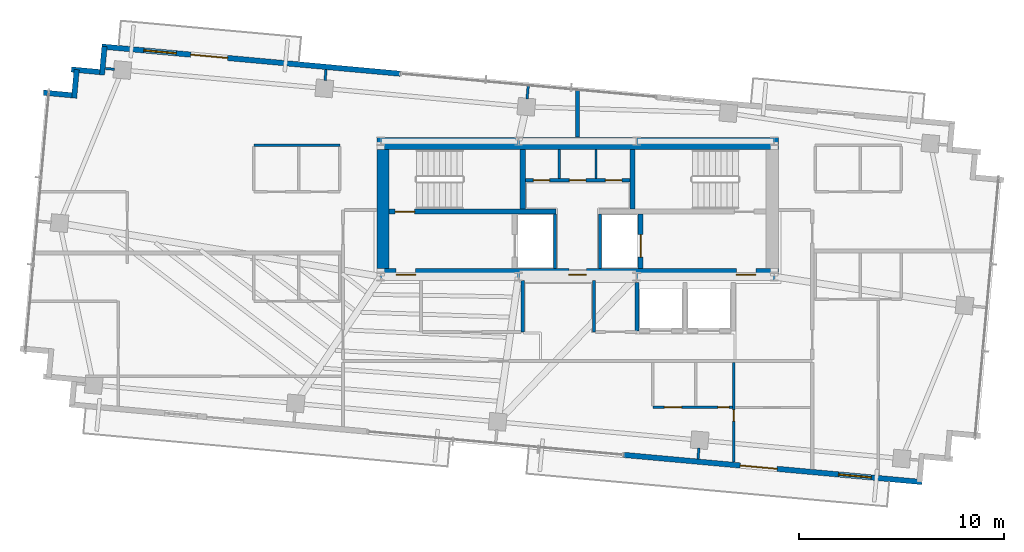
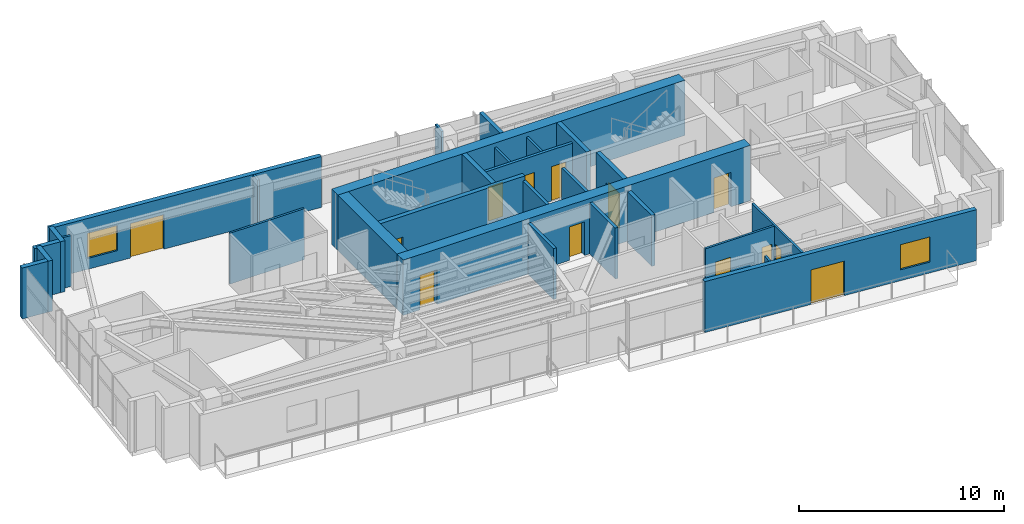
# One storey, part 17 of 22: 29 walls, 13 doors, 2 windows, 15 openings.
"""IFC4 building model written with IfcOpenShell, lengths in metres."""

from ifc_helpers import new_model, si_unit, direction, frame, frame_2d, origin, place, context, subcontext, project, spatial, rectangle, extrude, source, transform, mapped, material, layer, layer_set, type_object, type_shapes, element, fill, save


model = new_model("IFC4")

# Units and contexts
model_context = context("Model", 3, precision=1e-05, world=origin(), true_north=direction((0.0, 1.0)))
body_context = subcontext(model_context, "Body", "Model", "MODEL_VIEW")
ifc_project = project(units=[si_unit("LENGTHUNIT", "METRE"), si_unit("AREAUNIT", "SQUARE_METRE"), si_unit("VOLUMEUNIT", "CUBIC_METRE"), si_unit("PLANEANGLEUNIT", "RADIAN"), si_unit("MASSUNIT", "GRAM", prefix="KILO")], contexts=[model_context])

# Site, building, storey
site_placement = place(None, origin())
site = spatial("IfcSite", under=ifc_project, at=site_placement, CompositionType="ELEMENT")
building_placement = place(site_placement, origin())
building = spatial("IfcBuilding", under=site, at=building_placement, Name="Astriad Promenade Condominiums", CompositionType="ELEMENT")
storey_placement = place(building_placement, frame((0.0, 0.0, 246.300048828125)))
storey = spatial("IfcBuildingStorey", under=building, at=storey_placement, Name="L71", CompositionType="ELEMENT", Elevation=246.300048828125)

# Wall, openings, doors
ifc_material_1 = material(Name="Concrete C50/60", Category="concrete")
ifc_layer_1 = layer(ifc_material_1, 0.60009765625)
ifc_layer_set_1 = layer_set([ifc_layer_1], Name="Concrete C50/60")
wall_type_1 = type_object("IfcWallType", Name="CW-SHEAR-600", PredefinedType="SHEAR", material=ifc_layer_set_1)
wall_1_placement = place(storey_placement, frame((26.199951171875, 17.5, 0.0), z_axis=(0.0, 0.0, 1.0), x_axis=(1.0, 0.0, 0.0)))
wall_1 = element("IfcWall", 1, at=wall_1_placement, inside=storey, type_object=wall_type_1, Name="CW-CORE-S-L71", PredefinedType="SHEAR", context=body_context, shape_type="SweptSolid", body=[
    extrude(rectangle(XDim=19.60009765625, YDim=0.60009765625, at=frame_2d((9.800048828125, 0.0))), origin(), (0.0, 0.0, 1.0), 3.300048828125),
])
opening_1_placement = place(wall_1_placement, frame((0.949951171875, 0.0, 0.0)))
opening_1 = element("IfcOpeningElement", 2, at=opening_1_placement, cuts=wall_1, Name="Opening FD90-ST-095", PredefinedType="OPENING", context=body_context, shape_type="SweptSolid", body=[
    extrude(rectangle(XDim=0.949951171875, YDim=2.06005859375, at=frame_2d((0.47509765625, 1.030029296875))), frame((0.0, 0.31005859375, 0.0), z_axis=(0.0, -1.0, 0.0), x_axis=(1.0, 0.0, 0.0)), (0.0, 0.0, 1.0), 0.6201171875),
])
opening_2_placement = place(wall_1_placement, frame((9.3798828125, 0.0, 0.0)))
opening_2 = element("IfcOpeningElement", 3, at=opening_2_placement, cuts=wall_1, Name="Opening FD60-ULOW-085", PredefinedType="OPENING", context=body_context, shape_type="SweptSolid", body=[
    extrude(rectangle(XDim=0.85009765625, YDim=2.0, at=frame_2d((0.425048828125, 1.0))), frame((0.0, 0.31005859375, 0.0), z_axis=(0.0, -1.0, 0.0), x_axis=(1.0, 0.0, 0.0)), (0.0, 0.0, 1.0), 0.6201171875),
])
opening_3_placement = place(wall_1_placement, frame((17.550048828125, 0.0, 0.0)))
opening_3 = element("IfcOpeningElement", 4, at=opening_3_placement, cuts=wall_1, Name="Opening FD90-ST-095", PredefinedType="OPENING", context=body_context, shape_type="SweptSolid", body=[
    extrude(rectangle(XDim=0.949951171875, YDim=2.06005859375, at=frame_2d((0.47509765625, 1.030029296875))), frame((0.0, 0.31005859375, 0.0), z_axis=(0.0, -1.0, 0.0), x_axis=(1.0, 0.0, 0.0)), (0.0, 0.0, 1.0), 0.6201171875),
])
ifc_material_2 = material(Name="Fire-Rated Hollow Metal Stair Door")
door_type_1 = type_object("IfcDoorType", Name="FD90-ST-095", OperationType="NOTDEFINED", PredefinedType="DOOR", material=ifc_material_2)
shared_shape_1 = source(origin(), body_context, "Body", "SweptSolid", [
    extrude(rectangle(XDim=0.949951171875, YDim=2.06005859375, at=frame_2d((0.47509765625, 1.030029296875))), frame((0.0, 0.02490234375, 0.0), z_axis=(0.0, -1.0, 0.0), x_axis=(1.0, 0.0, 0.0)), (0.0, 0.0, 1.0), 0.050048828125),
])
type_shapes(door_type_1, [shared_shape_1])
door_1_placement = place(opening_1_placement, origin())
door_1 = element("IfcDoor", 5, at=door_1_placement, inside=storey, type_object=door_type_1, Name="D-FFW-L71", OperationType="SINGLE_SWING_LEFT", OverallHeight=2.06005859375, OverallWidth=0.949951171875, PredefinedType="DOOR", context=body_context, shape_type="MappedRepresentation", body=[
    mapped(shared_shape_1, transform((0.0, 0.0, 0.0), scale=1.0)),
])
fill(opening_1, door_1)
door_2_placement = place(opening_3_placement, origin())
door_2 = element("IfcDoor", 6, at=door_2_placement, inside=storey, type_object=door_type_1, Name="D-FFE-L71", OperationType="SINGLE_SWING_RIGHT", OverallHeight=2.06005859375, OverallWidth=0.949951171875, PredefinedType="DOOR", context=body_context, shape_type="MappedRepresentation", body=[
    mapped(shared_shape_1, transform((0.0, 0.0, 0.0), scale=1.0)),
])
fill(opening_3, door_2)
ifc_material_3 = material(Name="Solid-Core Low-Headroom Fire Door")
door_type_2 = type_object("IfcDoorType", Name="FD60-ULOW-085", OperationType="NOTDEFINED", PredefinedType="DOOR", material=ifc_material_3)
shared_shape_2 = source(origin(), body_context, "Body", "SweptSolid", [
    extrude(rectangle(XDim=0.85009765625, YDim=2.0, at=frame_2d((0.425048828125, 1.0))), frame((0.0, 0.02490234375, 0.0), z_axis=(0.0, -1.0, 0.0), x_axis=(1.0, 0.0, 0.0)), (0.0, 0.0, 1.0), 0.050048828125),
])
type_shapes(door_type_2, [shared_shape_2])
door_3_placement = place(opening_2_placement, origin())
door_3 = element("IfcDoor", 7, at=door_3_placement, inside=storey, type_object=door_type_2, Name="D-CSL-L71", OperationType="SINGLE_SWING_RIGHT", OverallHeight=2.0, OverallWidth=0.85009765625, PredefinedType="DOOR", context=body_context, shape_type="MappedRepresentation", body=[
    mapped(shared_shape_2, transform((0.0, 0.0, 0.0), scale=1.0)),
])
fill(opening_2, door_3)

# Walls
wall_2_placement = place(storey_placement, frame((26.199951171875, 23.89990234375, 0.0), z_axis=(0.0, 0.0, 1.0), x_axis=(1.0, 0.0, 0.0)))
element("IfcWall", 8, at=wall_2_placement, inside=storey, type_object=wall_type_1, Name="CW-CORE-N-L71", PredefinedType="SHEAR", context=body_context, shape_type="SweptSolid", body=[
    extrude(rectangle(XDim=19.60009765625, YDim=0.60009765625, at=frame_2d((9.800048828125, 0.0))), origin(), (0.0, 0.0, 1.0), 3.300048828125),
])
wall_3_placement = place(storey_placement, frame((26.5, 17.802001953125, 0.0), z_axis=(0.0, 0.0, 1.0), x_axis=(0.0, 1.0, 0.0)))
element("IfcWall", 9, at=wall_3_placement, inside=storey, type_object=wall_type_1, Name="CW-CORE-W-L71", PredefinedType="SHEAR", context=body_context, shape_type="SweptSolid", body=[
    extrude(rectangle(XDim=5.7958984375, YDim=0.60009765625, at=frame_2d((2.89794921875, 0.0))), origin(), (0.0, 0.0, 1.0), 3.300048828125),
])

# Wall, opening, door
ifc_layer_2 = layer(ifc_material_1, 0.25)
ifc_layer_set_2 = layer_set([ifc_layer_2], Name="Concrete C50/60")
wall_type_2 = type_object("IfcWallType", Name="WALL-CORE-INT-250", PredefinedType="SOLIDWALL", material=ifc_layer_set_2)
wall_4_placement = place(storey_placement, frame((26.802001953125, 20.574951171875, 0.0), z_axis=(0.0, 0.0, 1.0), x_axis=(1.0, 0.0, 0.0)))
wall_4 = element("IfcWall", 10, at=wall_4_placement, inside=storey, type_object=wall_type_2, Name="CW-INT-H1-L71", PredefinedType="SOLIDWALL", context=body_context, shape_type="SweptSolid", body=[
    extrude(rectangle(XDim=8.14794921875, YDim=0.25, at=frame_2d((4.073974609375, 0.0))), origin(), (0.0, 0.0, 1.0), 3.300048828125),
])
opening_4_placement = place(wall_4_placement, frame((0.298095703125, 0.0, 0.0)))
opening_4 = element("IfcOpeningElement", 11, at=opening_4_placement, cuts=wall_4, Name="Opening FD90-ST-095", PredefinedType="OPENING", context=body_context, shape_type="SweptSolid", body=[
    extrude(rectangle(XDim=0.949951171875, YDim=2.06005859375, at=frame_2d((0.47509765625, 1.030029296875))), frame((0.0, 0.135009765625, 0.0), z_axis=(0.0, -1.0, 0.0), x_axis=(1.0, 0.0, 0.0)), (0.0, 0.0, 1.0), 0.27001953125),
])
door_4_placement = place(opening_4_placement, origin())
door_4 = element("IfcDoor", 12, at=door_4_placement, inside=storey, type_object=door_type_1, Name="D-ST1-L71", OperationType="SINGLE_SWING_RIGHT", OverallHeight=2.06005859375, OverallWidth=0.949951171875, PredefinedType="DOOR", context=body_context, shape_type="MappedRepresentation", body=[
    mapped(shared_shape_1, transform((0.0, 0.0, 0.0), scale=1.0)),
])
fill(opening_4, door_4)

# Walls
for number, where, z_axis, x_axis, name in (
    (13, (33.324951171875, 20.701904296875, 0.0), (0.0, 0.0, 1.0), (0.0, 1.0, 0.0), "CW-ST1-E-L71"),
    (14, (38.675048828125, 20.701904296875, 0.0), (0.0, 0.0, 1.0), (0.0, 1.0, 0.0), "CW-ST2-W-L71"),
):
    element("IfcWall", number, at=place(storey_placement, frame(where, z_axis=z_axis, x_axis=x_axis)), inside=storey, type_object=wall_type_2, Name=name, PredefinedType="SOLIDWALL", context=body_context, shape_type="SweptSolid", body=[
        extrude(rectangle(XDim=2.89599609375, YDim=0.25, at=frame_2d((1.447998046875, 0.0))), origin(), (0.0, 0.0, 1.0), 3.300048828125),
    ])

# Wall, opening, door
wall_5_placement = place(storey_placement, frame((39.074951171875, 17.802001953125, 0.0), z_axis=(0.0, 0.0, 1.0), x_axis=(0.0, 1.0, 0.0)))
wall_5 = element("IfcWall", 15, at=wall_5_placement, inside=storey, type_object=wall_type_2, Name="CW-FFL2-E-L71", PredefinedType="SOLIDWALL", context=body_context, shape_type="SweptSolid", body=[
    extrude(rectangle(XDim=2.64599609375, YDim=0.25, at=frame_2d((1.322998046875, 0.0))), origin(), (0.0, 0.0, 1.0), 3.300048828125),
])
opening_5_placement = place(wall_5_placement, frame((0.548095703125, 0.0, 0.0)))
opening_5 = element("IfcOpeningElement", 16, at=opening_5_placement, cuts=wall_5, Name="Opening LD-FFL-1122", PredefinedType="OPENING", context=body_context, shape_type="SweptSolid", body=[
    extrude(rectangle(XDim=1.10009765625, YDim=2.080078125, at=frame_2d((0.550048828125, 1.0400390625))), frame((0.0, 0.135009765625, 0.0), z_axis=(0.0, -1.0, 0.0), x_axis=(1.0, 0.0, 0.0)), (0.0, 0.0, 1.0), 0.27001953125),
])
ifc_material_4 = material(Name="Brushed Stainless Steel Fire Elevator Landing Door", Category="steel")
door_type_3 = type_object("IfcDoorType", Name="LD-FFL-1122", OperationType="NOTDEFINED", PredefinedType="DOOR", material=ifc_material_4)
shared_shape_3 = source(origin(), body_context, "Body", "SweptSolid", [
    extrude(rectangle(XDim=1.10009765625, YDim=2.080078125, at=frame_2d((0.550048828125, 1.0400390625))), frame((0.0, 0.02490234375, 0.0), z_axis=(0.0, -1.0, 0.0), x_axis=(1.0, 0.0, 0.0)), (0.0, 0.0, 1.0), 0.050048828125),
])
type_shapes(door_type_3, [shared_shape_3])
door_5_placement = place(opening_5_placement, origin())
door_5 = element("IfcDoor", 17, at=door_5_placement, inside=storey, type_object=door_type_3, Name="Elevator Landing Door FFL-2 (L71)", OperationType="SLIDING_TO_RIGHT", OverallHeight=2.080078125, OverallWidth=1.10009765625, PredefinedType="DOOR", context=body_context, shape_type="MappedRepresentation", body=[
    mapped(shared_shape_3, transform((0.0, 0.0, 0.0), scale=1.0)),
])
fill(opening_5, door_5)

# Walls
ifc_material_5 = material(Name="Fire-Rated Gypsum Partition")
ifc_layer_3 = layer(ifc_material_5, 0.159912109375)
ifc_layer_set_3 = layer_set([ifc_layer_3], Name="Fire-Rated Gypsum Partition")
wall_type_3 = type_object("IfcWallType", Name="WALL-CORR-160", PredefinedType="PARTITIONING", material=ifc_layer_set_3)
for number, where, z_axis, x_axis, name in (
    (18, (34.89990234375, 17.802001953125, 0.0), (0.0, 0.0, 1.0), (0.0, 1.0, 0.0), "CW-FFL1-E-L71"),
    (19, (37.10009765625, 17.802001953125, 0.0), (0.0, 0.0, 1.0), (0.0, 1.0, 0.0), "CW-FFL2-W-L71"),
):
    element("IfcWall", number, at=place(storey_placement, frame(where, z_axis=z_axis, x_axis=x_axis)), inside=storey, type_object=wall_type_3, Name=name, PredefinedType="PARTITIONING", context=body_context, shape_type="SweptSolid", body=[
        extrude(rectangle(XDim=2.64599609375, YDim=0.159912109375, at=frame_2d((1.322998046875, 0.0))), origin(), (0.0, 0.0, 1.0), 3.0400390625),
    ])

# Wall, openings, doors
wall_6_placement = place(storey_placement, frame((33.451904296875, 22.10009765625, 0.0), z_axis=(0.0, 0.0, 1.0), x_axis=(1.0, 0.0, 0.0)))
wall_6 = element("IfcWall", 20, at=wall_6_placement, inside=storey, type_object=wall_type_3, Name="CW-AUX-N-L71", PredefinedType="PARTITIONING", context=body_context, shape_type="SweptSolid", body=[
    extrude(rectangle(XDim=5.09619140625, YDim=0.159912109375, at=frame_2d((2.548095703125, 0.0))), origin(), (0.0, 0.0, 1.0), 3.0400390625),
])
opening_6_placement = place(wall_6_placement, frame((0.387939453125, 0.0, 0.0)))
opening_6 = element("IfcOpeningElement", 21, at=opening_6_placement, cuts=wall_6, Name="Opening FD60-SV-080", PredefinedType="OPENING", context=body_context, shape_type="SweptSolid", body=[
    extrude(rectangle(XDim=0.800048828125, YDim=2.050048828125, at=frame_2d((0.39990234375, 1.02490234375))), frame((0.0, 0.08984375, 0.0), z_axis=(0.0, -1.0, 0.0), x_axis=(1.0, 0.0, 0.0)), (0.0, 0.0, 1.0), 0.179931640625),
])
opening_7_placement = place(wall_6_placement, frame((2.14794921875, 0.0, 0.0)))
opening_7 = element("IfcOpeningElement", 22, at=opening_7_placement, cuts=wall_6, Name="Opening FD60-SV-080", PredefinedType="OPENING", context=body_context, shape_type="SweptSolid", body=[
    extrude(rectangle(XDim=0.800048828125, YDim=2.050048828125, at=frame_2d((0.39990234375, 1.02490234375))), frame((0.0, 0.08984375, 0.0), z_axis=(0.0, -1.0, 0.0), x_axis=(1.0, 0.0, 0.0)), (0.0, 0.0, 1.0), 0.179931640625),
])
opening_8_placement = place(wall_6_placement, frame((3.907958984375, 0.0, 0.0)))
opening_8 = element("IfcOpeningElement", 23, at=opening_8_placement, cuts=wall_6, Name="Opening FD60-SV-080", PredefinedType="OPENING", context=body_context, shape_type="SweptSolid", body=[
    extrude(rectangle(XDim=0.800048828125, YDim=2.050048828125, at=frame_2d((0.39990234375, 1.02490234375))), frame((0.0, 0.08984375, 0.0), z_axis=(0.0, -1.0, 0.0), x_axis=(1.0, 0.0, 0.0)), (0.0, 0.0, 1.0), 0.179931640625),
])
ifc_material_6 = material(Name="Fire-Rated Riser Closet Door")
door_type_4 = type_object("IfcDoorType", Name="FD60-SV-080", OperationType="NOTDEFINED", PredefinedType="DOOR", material=ifc_material_6)
shared_shape_4 = source(origin(), body_context, "Body", "SweptSolid", [
    extrude(rectangle(XDim=0.800048828125, YDim=2.050048828125, at=frame_2d((0.39990234375, 1.02490234375))), frame((0.0, 0.02490234375, 0.0), z_axis=(0.0, -1.0, 0.0), x_axis=(1.0, 0.0, 0.0)), (0.0, 0.0, 1.0), 0.050048828125),
])
type_shapes(door_type_4, [shared_shape_4])
door_6_placement = place(opening_6_placement, origin())
door_6 = element("IfcDoor", 24, at=door_6_placement, inside=storey, type_object=door_type_4, Name="D-AUX1-L71", OperationType="SINGLE_SWING_RIGHT", OverallHeight=2.050048828125, OverallWidth=0.800048828125, PredefinedType="DOOR", context=body_context, shape_type="MappedRepresentation", body=[
    mapped(shared_shape_4, transform((0.0, 0.0, 0.0), scale=1.0)),
])
fill(opening_6, door_6)
door_7_placement = place(opening_7_placement, origin())
door_7 = element("IfcDoor", 25, at=door_7_placement, inside=storey, type_object=door_type_4, Name="D-AUX2-L71", OperationType="SINGLE_SWING_LEFT", OverallHeight=2.050048828125, OverallWidth=0.800048828125, PredefinedType="DOOR", context=body_context, shape_type="MappedRepresentation", body=[
    mapped(shared_shape_4, transform((0.0, 0.0, 0.0), scale=1.0)),
])
fill(opening_7, door_7)
door_8_placement = place(opening_8_placement, origin())
door_8 = element("IfcDoor", 26, at=door_8_placement, inside=storey, type_object=door_type_4, Name="D-AUX3-L71", OperationType="SINGLE_SWING_RIGHT", OverallHeight=2.050048828125, OverallWidth=0.800048828125, PredefinedType="DOOR", context=body_context, shape_type="MappedRepresentation", body=[
    mapped(shared_shape_4, transform((0.0, 0.0, 0.0), scale=1.0)),
])
fill(opening_8, door_8)

# Walls
for number, where, z_axis, x_axis, name in (
    (27, (33.320068359375, 14.699951171875, 0.0), (0.0, 0.0, 1.0), (0.0, 1.0, 0.0), "PT-Z3REC-E-L71"),
    (28, (36.800048828125, 14.699951171875, 0.0), (0.0, 0.0, 1.0), (0.0, 1.0, 0.0), "PT-Z3R2-W-L71"),
):
    element("IfcWall", number, at=place(storey_placement, frame(where, z_axis=z_axis, x_axis=x_axis)), inside=storey, type_object=wall_type_3, Name=name, PredefinedType="PARTITIONING", context=body_context, shape_type="SweptSolid", body=[
        extrude(rectangle(XDim=2.498046875, YDim=0.159912109375, at=frame_2d((1.2490234375, 0.0))), origin(), (0.0, 0.0, 1.0), 3.0400390625),
    ])
ifc_material_7 = material(Name="Acoustic Double-Stud Gypsum Partition")
ifc_layer_4 = layer(ifc_material_7, 0.199951171875)
ifc_layer_set_4 = layer_set([ifc_layer_4], Name="Acoustic Double-Stud Gypsum Partition")
wall_type_4 = type_object("IfcWallType", Name="WALL-DEMISING-200", PredefinedType="PARTITIONING", material=ifc_layer_set_4)
wall_7_placement = place(storey_placement, frame((36.0, 24.201904296875, 0.0), z_axis=(0.0, 0.0, 1.0), x_axis=(0.0, 1.0, 0.0)))
element("IfcWall", 29, at=wall_7_placement, inside=storey, type_object=wall_type_4, Name="PT-NC-MID-L71", PredefinedType="PARTITIONING", context=body_context, shape_type="SweptSolid", body=[
    extrude(rectangle(XDim=2.36328125, YDim=0.199951171875, at=frame_2d((1.181640625, 0.0))), origin(), (0.0, 0.0, 1.0), 3.0400390625),
])
ifc_material_8 = material(Name="Precast concrete C50/60", Category="concrete")
ifc_layer_5 = layer(ifc_material_8, 0.260009765625)
ifc_layer_set_5 = layer_set([ifc_layer_5], Name="Precast concrete C50/60")
wall_type_5 = type_object("IfcWallType", Name="WALL-EXT-TWR-260", PredefinedType="STANDARD", material=ifc_layer_set_5)
for number, where, z_axis, x_axis, name in (
    (30, (9.93505859375, 26.376708984375, 0.0), (0.0, 0.0, 1.0), (0.995881721538, -0.090661991521, 0.0), "W-SER-L71-04"),
    (31, (11.427001953125, 26.110595703125, 0.0), (0.0, 0.0, 1.0), (0.090835571917, 0.995865904063, 0.0), "W-SER-L71-05"),
):
    element("IfcWall", number, at=place(storey_placement, frame(where, z_axis=z_axis, x_axis=x_axis)), inside=storey, type_object=wall_type_5, Name=name, PredefinedType="STANDARD", context=body_context, shape_type="SweptSolid", body=[
        extrude(rectangle(XDim=1.39501953125, YDim=0.260009765625, at=frame_2d((0.697509765625, 0.0))), origin(), (0.0, 0.0, 1.0), 3.0400390625),
    ])
wall_8_placement = place(storey_placement, frame((11.293212890625, 27.50830078125, 0.0), z_axis=(0.0, 0.0, 1.0), x_axis=(0.995883159782, -0.090646191665, 0.0)))
element("IfcWall", 32, at=wall_8_placement, inside=storey, type_object=wall_type_5, Name="W-SER-L71-06", PredefinedType="STANDARD", context=body_context, shape_type="SweptSolid", body=[
    extrude(rectangle(XDim=1.395263671875, YDim=0.260009765625, at=frame_2d((0.69775390625, 0.0))), origin(), (0.0, 0.0, 1.0), 3.0400390625),
])
wall_9_placement = place(storey_placement, frame((12.785400390625, 27.241943359375, 0.0), z_axis=(0.0, 0.0, 1.0), x_axis=(0.090472632758, 0.995898942023, 0.0)))
element("IfcWall", 33, at=wall_9_placement, inside=storey, type_object=wall_type_5, Name="W-SER-L71-07", PredefinedType="STANDARD", context=body_context, shape_type="SweptSolid", body=[
    extrude(rectangle(XDim=1.39501953125, YDim=0.260009765625, at=frame_2d((0.697509765625, 0.0))), origin(), (0.0, 0.0, 1.0), 3.0400390625),
])

# Wall, openings, door, window
wall_10_placement = place(storey_placement, frame((12.78076171875, 28.628173828125, 0.0), z_axis=(0.0, 0.0, 1.0), x_axis=(0.995884584572, -0.090630536861, 0.0)))
wall_10 = element("IfcWall", 34, at=wall_10_placement, inside=storey, type_object=wall_type_5, Name="W-EXT-L71-N1", PredefinedType="STANDARD", context=body_context, shape_type="SweptSolid", body=[
    extrude(rectangle(XDim=14.630126953125, YDim=0.260009765625, at=frame_2d((7.31494140625, 0.0))), origin(), (0.0, 0.0, 1.0), 3.0400390625),
])
opening_9_placement = place(wall_10_placement, frame((4.361083984375, 0.0, 0.0)))
opening_9 = element("IfcOpeningElement", 35, at=opening_9_placement, cuts=wall_10, Name="Opening BD-1822-SLD", PredefinedType="OPENING", context=body_context, shape_type="SweptSolid", body=[
    extrude(rectangle(XDim=1.800048828125, YDim=2.06005859375, at=frame_2d((0.89990234375, 1.030029296875))), frame((0.0, 0.139892578125, 0.0), z_axis=(0.0, -1.0, 0.0), x_axis=(1.0, 0.0, 0.0)), (0.0, 0.0, 1.0), 0.280029296875),
])
opening_10_placement = place(wall_10_placement, frame((2.050048828125, 0.0, 0.64990234375)))
opening_10 = element("IfcOpeningElement", 36, at=opening_10_placement, cuts=wall_10, Name="Opening WIN-TWR-1620", PredefinedType="OPENING", context=body_context, shape_type="SweptSolid", body=[
    extrude(rectangle(XDim=1.60009765625, YDim=1.5, at=frame_2d((0.800048828125, 0.75))), frame((0.0, 0.139892578125, 0.0), z_axis=(0.0, -1.0, 0.0), x_axis=(1.0, 0.0, 0.0)), (0.0, 0.0, 1.0), 0.280029296875),
])
ifc_material_9 = material(Name="Thermally Broken Aluminium Sliding Balcony Door", Category="aluminium")
door_type_5 = type_object("IfcDoorType", Name="BD-1822-SLD", OperationType="NOTDEFINED", PredefinedType="DOOR", material=ifc_material_9)
shared_shape_5 = source(origin(), body_context, "Body", "SweptSolid", [
    extrude(rectangle(XDim=1.800048828125, YDim=2.06005859375, at=frame_2d((0.89990234375, 1.030029296875))), frame((0.0, 0.02490234375, 0.0), z_axis=(0.0, -1.0, 0.0), x_axis=(1.0, 0.0, 0.0)), (0.0, 0.0, 1.0), 0.050048828125),
])
type_shapes(door_type_5, [shared_shape_5])
door_9_placement = place(opening_9_placement, origin())
door_9 = element("IfcDoor", 37, at=door_9_placement, inside=storey, type_object=door_type_5, Name="BD-L71-NW", OperationType="SLIDING_TO_LEFT", OverallHeight=2.06005859375, OverallWidth=1.800048828125, PredefinedType="DOOR", context=body_context, shape_type="MappedRepresentation", body=[
    mapped(shared_shape_5, transform((0.0, 0.0, 0.0), scale=1.0)),
])
fill(opening_9, door_9)
ifc_material_10 = material(Name="Dark Tinted Triple-Glazed Aluminium Window", Category="aluminium")
window_type = type_object("IfcWindowType", Name="WIN-TWR-1620", PartitioningType="SINGLE_PANEL", PredefinedType="WINDOW", material=ifc_material_10)
shared_shape_6 = source(origin(), body_context, "Body", "SweptSolid", [
    extrude(rectangle(XDim=1.60009765625, YDim=1.5, at=frame_2d((0.800048828125, 0.75))), frame((0.0, 0.030029296875, 0.0), z_axis=(0.0, -1.0, 0.0), x_axis=(1.0, 0.0, 0.0)), (0.0, 0.0, 1.0), 0.06005859375),
])
type_shapes(window_type, [shared_shape_6])
window_1_placement = place(opening_10_placement, origin())
window_1 = element("IfcWindow", 38, at=window_1_placement, inside=storey, type_object=window_type, Name="WIN-L71-NW", OverallHeight=1.5, OverallWidth=1.60009765625, PartitioningType="SINGLE_PANEL", PredefinedType="WINDOW", context=body_context, shape_type="MappedRepresentation", body=[
    mapped(shared_shape_6, transform((0.0, 0.0, 0.0), scale=1.0)),
])
fill(opening_10, window_1)

wall_11_placement = place(storey_placement, frame((52.819091796875, 7.371826171875, 0.0), z_axis=(0.0, 0.0, 1.0), x_axis=(-0.995884447498, 0.090632043071, 0.0)))
wall_11 = element("IfcWall", 39, at=wall_11_placement, inside=storey, type_object=wall_type_5, Name="W-EXT-L71-S1", PredefinedType="STANDARD", context=body_context, shape_type="SweptSolid", body=[
    extrude(rectangle(XDim=14.6298828125, YDim=0.260009765625, at=frame_2d((7.31494140625, 0.0))), origin(), (0.0, 0.0, 1.0), 3.0400390625),
])
opening_11_placement = place(wall_11_placement, frame((7.113037109375, 0.0, 0.0)))
opening_11 = element("IfcOpeningElement", 40, at=opening_11_placement, cuts=wall_11, Name="Opening BD-1822-SLD", PredefinedType="OPENING", context=body_context, shape_type="SweptSolid", body=[
    extrude(rectangle(XDim=1.800048828125, YDim=2.06005859375, at=frame_2d((0.89990234375, 1.030029296875))), frame((0.0, 0.139892578125, 0.0), z_axis=(0.0, -1.0, 0.0), x_axis=(1.0, 0.0, 0.0)), (0.0, 0.0, 1.0), 0.280029296875),
])
opening_12_placement = place(wall_11_placement, frame((2.5, 0.0, 0.64990234375)))
opening_12 = element("IfcOpeningElement", 41, at=opening_12_placement, cuts=wall_11, Name="Opening WIN-TWR-1620", PredefinedType="OPENING", context=body_context, shape_type="SweptSolid", body=[
    extrude(rectangle(XDim=1.60009765625, YDim=1.5, at=frame_2d((0.800048828125, 0.75))), frame((0.0, 0.139892578125, 0.0), z_axis=(0.0, -1.0, 0.0), x_axis=(1.0, 0.0, 0.0)), (0.0, 0.0, 1.0), 0.280029296875),
])
door_10_placement = place(opening_11_placement, origin())
door_10 = element("IfcDoor", 42, at=door_10_placement, inside=storey, type_object=door_type_5, Name="BD-L71-SE", OperationType="SLIDING_TO_RIGHT", OverallHeight=2.06005859375, OverallWidth=1.800048828125, PredefinedType="DOOR", context=body_context, shape_type="MappedRepresentation", body=[
    mapped(shared_shape_5, transform((0.0, 0.0, 0.0), scale=1.0)),
])
fill(opening_11, door_10)
window_2_placement = place(opening_12_placement, origin())
window_2 = element("IfcWindow", 43, at=window_2_placement, inside=storey, type_object=window_type, Name="WIN-L71-SE", OverallHeight=1.5, OverallWidth=1.60009765625, PartitioningType="SINGLE_PANEL", PredefinedType="WINDOW", context=body_context, shape_type="MappedRepresentation", body=[
    mapped(shared_shape_6, transform((0.0, 0.0, 0.0), scale=1.0)),
])
fill(opening_12, window_2)

# Walls
ifc_material_11 = material(Name="Acoustic Metal-Stud Gypsum Partition")
ifc_layer_6 = layer(ifc_material_11, 0.1201171875)
ifc_layer_set_6 = layer_set([ifc_layer_6], Name="Acoustic Metal-Stud Gypsum Partition")
wall_type_6 = type_object("IfcWallType", Name="WALL-PART-120", PredefinedType="PARTITIONING", material=ifc_layer_set_6)
for number, where, z_axis, x_axis, name in (
    (44, (35.10009765625, 22.181884765625, 0.0), (0.0, 0.0, 1.0), (0.0, 1.0, 0.0), "CW-AUX-V1-L71"),
    (45, (36.89990234375, 22.181884765625, 0.0), (0.0, 0.0, 1.0), (0.0, 1.0, 0.0), "CW-AUX-V2-L71"),
):
    element("IfcWall", number, at=place(storey_placement, frame(where, z_axis=z_axis, x_axis=x_axis)), inside=storey, type_object=wall_type_6, Name=name, PredefinedType="PARTITIONING", context=body_context, shape_type="SweptSolid", body=[
        extrude(rectangle(XDim=1.416015625, YDim=0.1201171875, at=frame_2d((0.7080078125, 0.0))), origin(), (0.0, 0.0, 1.0), 3.0400390625),
    ])

# Wall, opening, door
wall_12_placement = place(storey_placement, frame((43.6201171875, 8.341552734375, 0.0), z_axis=(0.0, 0.0, 1.0), x_axis=(0.0, 1.0, 0.0)))
wall_12 = element("IfcWall", 46, at=wall_12_placement, inside=storey, type_object=wall_type_6, Name="PT-L71-S1-BD1", PredefinedType="PARTITIONING", context=body_context, shape_type="SweptSolid", body=[
    extrude(rectangle(XDim=4.8564453125, YDim=0.1201171875, at=frame_2d((2.42822265625, 0.0))), origin(), (0.0, 0.0, 1.0), 3.0400390625),
])
opening_13_placement = place(wall_12_placement, frame((2.00048828125, 0.0, 0.0)))
opening_13 = element("IfcOpeningElement", 47, at=opening_13_placement, cuts=wall_12, Name="Opening D-AC-055", PredefinedType="OPENING", context=body_context, shape_type="SweptSolid", body=[
    extrude(rectangle(XDim=0.550048828125, YDim=2.0, at=frame_2d((0.27490234375, 1.0))), frame((0.0, 0.070068359375, 0.0), z_axis=(0.0, -1.0, 0.0), x_axis=(1.0, 0.0, 0.0)), (0.0, 0.0, 1.0), 0.14013671875),
])
ifc_material_12 = material(Name="Painted Timber Access Door", Category="wood")
door_type_6 = type_object("IfcDoorType", Name="D-AC-055", OperationType="NOTDEFINED", PredefinedType="DOOR", material=ifc_material_12)
shared_shape_7 = source(origin(), body_context, "Body", "SweptSolid", [
    extrude(rectangle(XDim=0.550048828125, YDim=2.0, at=frame_2d((0.27490234375, 1.0))), frame((0.0, 0.02490234375, 0.0), z_axis=(0.0, -1.0, 0.0), x_axis=(1.0, 0.0, 0.0)), (0.0, 0.0, 1.0), 0.050048828125),
])
type_shapes(door_type_6, [shared_shape_7])
door_11_placement = place(opening_13_placement, origin())
door_11 = element("IfcDoor", 48, at=door_11_placement, inside=storey, type_object=door_type_6, Name="D-BD1-L71-S1", OperationType="SINGLE_SWING_LEFT", OverallHeight=2.0, OverallWidth=0.550048828125, PredefinedType="DOOR", context=body_context, shape_type="MappedRepresentation", body=[
    mapped(shared_shape_7, transform((0.0, 0.0, 0.0), scale=1.0)),
])
fill(opening_13, door_11)

# Wall, openings, doors
wall_13_placement = place(storey_placement, frame((39.669921875, 11.030029296875, 0.0), z_axis=(0.0, 0.0, 1.0), x_axis=(1.0, 0.0, 0.0)))
wall_13 = element("IfcWall", 49, at=wall_13_placement, inside=storey, type_object=wall_type_6, Name="PT-L71-S1-PS", PredefinedType="PARTITIONING", context=body_context, shape_type="SweptSolid", body=[
    extrude(rectangle(XDim=3.88818359375, YDim=0.1201171875, at=frame_2d((1.944091796875, 0.0))), origin(), (0.0, 0.0, 1.0), 3.0400390625),
])
opening_14_placement = place(wall_13_placement, frame((0.56494140625, 0.0, 0.0)))
opening_14 = element("IfcOpeningElement", 50, at=opening_14_placement, cuts=wall_13, Name="Opening D-INT-085", PredefinedType="OPENING", context=body_context, shape_type="SweptSolid", body=[
    extrude(rectangle(XDim=0.85009765625, YDim=2.050048828125, at=frame_2d((0.425048828125, 1.02490234375))), frame((0.0, 0.070068359375, 0.0), z_axis=(0.0, -1.0, 0.0), x_axis=(1.0, 0.0, 0.0)), (0.0, 0.0, 1.0), 0.14013671875),
])
opening_15_placement = place(wall_13_placement, frame((3.179931640625, 0.0, 0.0)))
opening_15 = element("IfcOpeningElement", 51, at=opening_15_placement, cuts=wall_13, Name="Opening D-AC-055", PredefinedType="OPENING", context=body_context, shape_type="SweptSolid", body=[
    extrude(rectangle(XDim=0.550048828125, YDim=2.0, at=frame_2d((0.27490234375, 1.0))), frame((0.0, 0.070068359375, 0.0), z_axis=(0.0, -1.0, 0.0), x_axis=(1.0, 0.0, 0.0)), (0.0, 0.0, 1.0), 0.14013671875),
])
ifc_material_13 = material(Name="Painted Solid-Core Timber Room Door", Category="wood")
door_type_7 = type_object("IfcDoorType", Name="D-INT-085", OperationType="NOTDEFINED", PredefinedType="DOOR", material=ifc_material_13)
shared_shape_8 = source(origin(), body_context, "Body", "SweptSolid", [
    extrude(rectangle(XDim=0.85009765625, YDim=2.050048828125, at=frame_2d((0.425048828125, 1.02490234375))), frame((0.0, 0.02490234375, 0.0), z_axis=(0.0, -1.0, 0.0), x_axis=(1.0, 0.0, 0.0)), (0.0, 0.0, 1.0), 0.050048828125),
])
type_shapes(door_type_7, [shared_shape_8])
door_12_placement = place(opening_14_placement, origin())
door_12 = element("IfcDoor", 52, at=door_12_placement, inside=storey, type_object=door_type_7, Name="D-KIT-L71-S1", OperationType="SINGLE_SWING_RIGHT", OverallHeight=2.050048828125, OverallWidth=0.85009765625, PredefinedType="DOOR", context=body_context, shape_type="MappedRepresentation", body=[
    mapped(shared_shape_8, transform((0.0, 0.0, 0.0), scale=1.0)),
])
fill(opening_14, door_12)
door_13_placement = place(opening_15_placement, origin())
door_13 = element("IfcDoor", 53, at=door_13_placement, inside=storey, type_object=door_type_6, Name="D-BTH-L71-S1", OperationType="SINGLE_SWING_LEFT", OverallHeight=2.0, OverallWidth=0.550048828125, PredefinedType="DOOR", context=body_context, shape_type="MappedRepresentation", body=[
    mapped(shared_shape_7, transform((0.0, 0.0, 0.0), scale=1.0)),
])
fill(opening_15, door_13)

# Walls
wall_14_placement = place(storey_placement, frame((20.199951171875, 23.800048828125, 0.0), z_axis=(0.0, 0.0, 1.0), x_axis=(1.0, 0.0, 0.0)))
element("IfcWall", 54, at=wall_14_placement, inside=storey, type_object=wall_type_6, Name="PT-L71-W2-PHN", PredefinedType="PARTITIONING", context=body_context, shape_type="SweptSolid", body=[
    extrude(rectangle(XDim=4.199951171875, YDim=0.1201171875, at=frame_2d((2.10009765625, 0.0))), origin(), (0.0, 0.0, 1.0), 3.0400390625),
])
wall_15_placement = place(storey_placement, frame((41.92529296875, 9.0361328125, 0.0), z_axis=(0.0, 0.0, 1.0), x_axis=(-0.090740281653, -0.995874591144, 0.0)))
element("IfcWall", 55, at=wall_15_placement, inside=storey, type_object=wall_type_6, Name="PT-PIL-L71-PC04-11", PredefinedType="PARTITIONING", context=body_context, shape_type="SweptSolid", body=[
    extrude(rectangle(XDim=0.5380859375, YDim=0.1201171875, at=frame_2d((0.26904296875, 0.0))), origin(), (0.0, 0.0, 1.0), 3.0400390625),
])
wall_16_placement = place(storey_placement, frame((13.40283203125, 27.51708984375, 0.0), z_axis=(0.0, 0.0, 1.0), x_axis=(-0.995884462012, 0.090631883588, 0.0)))
element("IfcWall", 56, at=wall_16_placement, inside=storey, type_object=wall_type_6, Name="PT-PIL-L71-PC06-13", PredefinedType="PARTITIONING", context=body_context, shape_type="SweptSolid", body=[
    extrude(rectangle(XDim=0.4580078125, YDim=0.1201171875, at=frame_2d((0.22900390625, 0.0))), origin(), (0.0, 0.0, 1.0), 3.0400390625),
])
wall_17_placement = place(storey_placement, frame((23.6748046875, 26.9638671875, 0.0), z_axis=(0.0, 0.0, 1.0), x_axis=(0.090740281653, 0.995874591144, 0.0)))
element("IfcWall", 57, at=wall_17_placement, inside=storey, type_object=wall_type_6, Name="PT-PIL-L71-PC07-14", PredefinedType="PARTITIONING", context=body_context, shape_type="SweptSolid", body=[
    extrude(rectangle(XDim=0.5380859375, YDim=0.1201171875, at=frame_2d((0.26904296875, 0.0))), origin(), (0.0, 0.0, 1.0), 3.0400390625),
])
wall_18_placement = place(storey_placement, frame((33.5341796875, 26.066650390625, 0.0), z_axis=(0.0, 0.0, 1.0), x_axis=(0.090535746043, 0.995893206468, 0.0)))
element("IfcWall", 58, at=wall_18_placement, inside=storey, type_object=wall_type_6, Name="PT-PIL-L71-PC08-15", PredefinedType="PARTITIONING", context=body_context, shape_type="SweptSolid", body=[
    extrude(rectangle(XDim=0.719970703125, YDim=0.1201171875, at=frame_2d((0.35986328125, 0.0))), origin(), (0.0, 0.0, 1.0), 3.0400390625),
])
ifc_material_14 = material(Name="Gypsum Shaftliner Assembly")
ifc_layer_7 = layer(ifc_material_14, 0.199951171875)
ifc_layer_set_7 = layer_set([ifc_layer_7], Name="Gypsum Shaftliner Assembly")
wall_type_7 = type_object("IfcWallType", Name="WALL-SHAFT-200", PredefinedType="PARTITIONING", material=ifc_layer_set_7)
wall_19_placement = place(storey_placement, frame((38.89990234375, 14.75, 0.0), z_axis=(0.0, 0.0, 1.0), x_axis=(0.0, 1.0, 0.0)))
element("IfcWall", 59, at=wall_19_placement, inside=storey, type_object=wall_type_7, Name="PL-MH-DIV-L71", PredefinedType="PARTITIONING", context=body_context, shape_type="SweptSolid", body=[
    extrude(rectangle(XDim=2.35009765625, YDim=0.199951171875, at=frame_2d((1.175048828125, 0.0))), origin(), (0.0, 0.0, 1.0), 3.0400390625),
])

save(model, "model.ifc")
